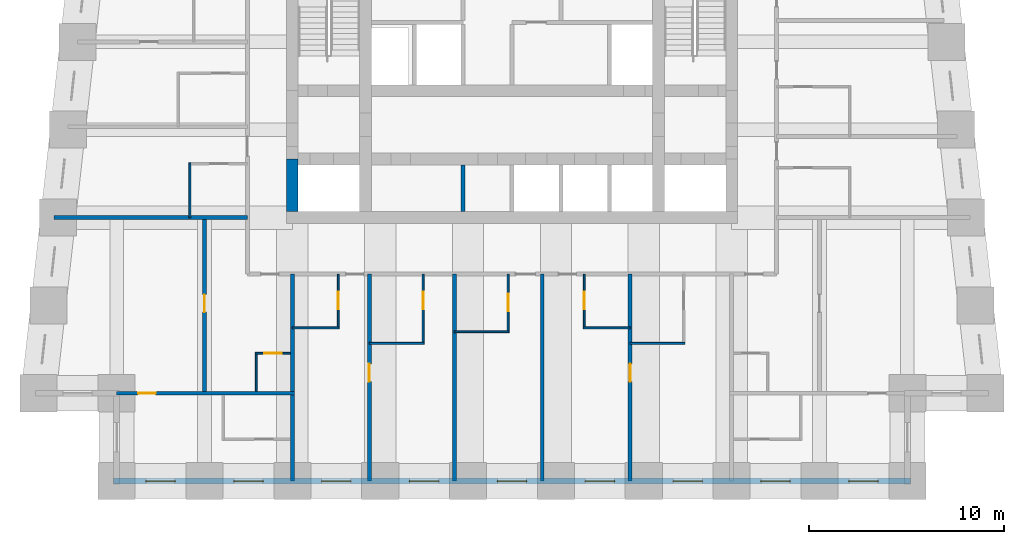
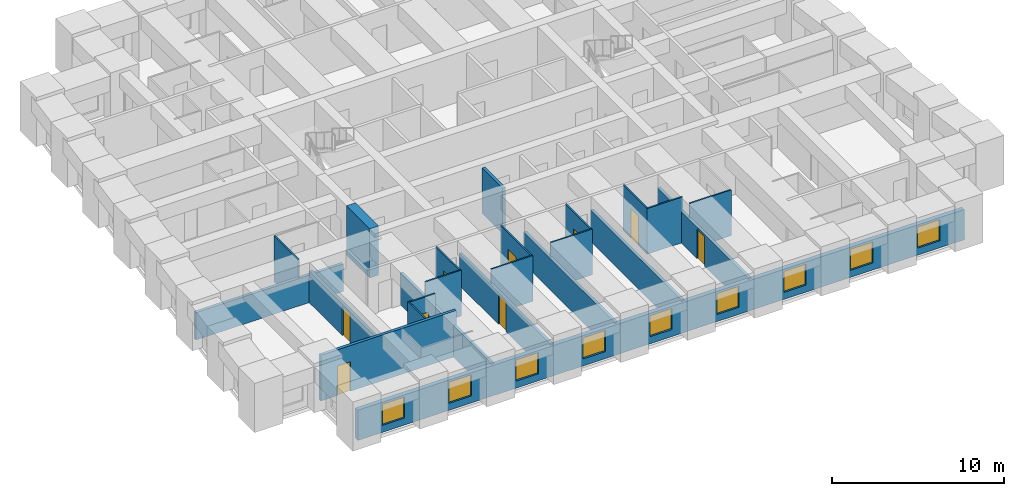
# One storey, part 2 of 8: 23 walls, 9 doors, 9 windows, 18 openings.
"""IFC4 building model written with IfcOpenShell, lengths in metres."""

from ifc_helpers import new_model, si_unit, direction, frame, frame_2d, origin, place, context, subcontext, project, spatial, rectangle, extrude, material, layer, layer_set, type_object, element, fill, save


model = new_model("IFC4")

# Units and contexts
model_context = context("Model", 3, precision=1e-05, world=origin(), true_north=direction((0.0, 1.0)))
body_context = subcontext(model_context, "Body", "Model", "MODEL_VIEW")
ifc_project = project(units=[si_unit("LENGTHUNIT", "METRE"), si_unit("AREAUNIT", "SQUARE_METRE"), si_unit("VOLUMEUNIT", "CUBIC_METRE"), si_unit("PLANEANGLEUNIT", "RADIAN"), si_unit("MASSUNIT", "GRAM", prefix="KILO")], contexts=[model_context])

# Site, building, storey
site_placement = place(None, origin())
site = spatial("IfcSite", under=ifc_project, at=site_placement, CompositionType="ELEMENT")
building_placement = place(site_placement, origin())
building = spatial("IfcBuilding", under=site, at=building_placement, Name="Kilele Tower Hotel", CompositionType="ELEMENT")
storey_placement = place(building_placement, frame((0.0, 0.0, 117.89990234375)))
storey = spatial("IfcBuildingStorey", under=building, at=storey_placement, Name="L30", CompositionType="ELEMENT", Elevation=117.89990234375)

# Wall
ifc_material_1 = material(Name="Moisture-resistant board")
ifc_layer_1 = layer(ifc_material_1, 0.10009765625)
ifc_layer_set_1 = layer_set([ifc_layer_1], Name="Moisture-resistant board")
wall_type_1 = type_object("IfcWallType", Name="Bathroom partition 100", PredefinedType="PLUMBINGWALL", material=ifc_layer_set_1)
wall_1_placement = place(storey_placement, frame((13.5, 7.85009765625, 0.0), z_axis=(0.0, 0.0, 1.0), x_axis=(1.0, 0.0, 0.0)))
element("IfcWall", 1, at=wall_1_placement, inside=storey, type_object=wall_type_1, Name="Bathroom partition 100 L30", PredefinedType="PLUMBINGWALL", context=body_context, shape_type="SweptSolid", body=[
    extrude(rectangle(XDim=2.39990234375, YDim=0.10009765625, at=frame_2d((1.199951171875, 0.0))), origin(), (0.0, 0.0, 1.0), 3.25),
])

# Wall, opening, door
wall_2_placement = place(storey_placement, frame((15.85009765625, 10.60009765625, 0.0), z_axis=(0.0, 0.0, 1.0), x_axis=(0.0, -1.0, 0.0)))
wall_2 = element("IfcWall", 2, at=wall_2_placement, inside=storey, type_object=wall_type_1, Name="Bathroom partition 100 L30", PredefinedType="PLUMBINGWALL", context=body_context, shape_type="SweptSolid", body=[
    extrude(rectangle(XDim=2.800048828125, YDim=0.10009765625, at=frame_2d((1.39990234375, 0.0))), origin(), (0.0, 0.0, 1.0), 3.25),
])
opening_1_placement = place(wall_2_placement, frame((0.89990234375, 0.0, 0.0)))
opening_1 = element("IfcOpeningElement", 3, at=opening_1_placement, cuts=wall_2, Name="Opening D2A", PredefinedType="OPENING", context=body_context, shape_type="SweptSolid", body=[
    extrude(rectangle(XDim=0.89990234375, YDim=2.10009765625, at=frame_2d((0.449951171875, 1.050048828125))), frame((0.0, 0.06005859375, 0.0), z_axis=(0.0, -1.0, 0.0), x_axis=(1.0, 0.0, 0.0)), (0.0, 0.0, 1.0), 0.1201171875),
])
ifc_material_2 = material(Name="Timber door leaf in hardwood frame", Category="wood")
door_type_1 = type_object("IfcDoorType", Name="Bathroom door 900", OperationType="SINGLE_SWING_LEFT", PredefinedType="DOOR", material=ifc_material_2)
door_1_placement = place(opening_1_placement, origin())
door_1 = element("IfcDoor", 4, at=door_1_placement, inside=storey, type_object=door_type_1, Name="Bathroom door 3001B", OperationType="SINGLE_SWING_LEFT", OverallHeight=2.10009765625, OverallWidth=0.89990234375, PredefinedType="DOOR", context=body_context, shape_type="SweptSolid", body=[
    extrude(rectangle(XDim=0.89990234375, YDim=2.10009765625, at=frame_2d((0.449951171875, 1.050048828125))), frame((0.0, 0.02490234375, 0.0), z_axis=(0.0, -1.0, 0.0), x_axis=(1.0, 0.0, 0.0)), (0.0, 0.0, 1.0), 0.050048828125),
])
fill(opening_1, door_1)

# Wall
wall_3_placement = place(storey_placement, frame((17.449951171875, 7.050048828125, 0.0), z_axis=(0.0, 0.0, 1.0), x_axis=(1.0, 0.0, 0.0)))
element("IfcWall", 5, at=wall_3_placement, inside=storey, type_object=wall_type_1, Name="Bathroom partition 100 L30", PredefinedType="PLUMBINGWALL", context=body_context, shape_type="SweptSolid", body=[
    extrude(rectangle(XDim=2.800048828125, YDim=0.10009765625, at=frame_2d((1.39990234375, 0.0))), origin(), (0.0, 0.0, 1.0), 3.25),
])

# Wall, opening, door
wall_4_placement = place(storey_placement, frame((20.199951171875, 10.60009765625, 0.0), z_axis=(0.0, 0.0, 1.0), x_axis=(0.0, -1.0, 0.0)))
wall_4 = element("IfcWall", 6, at=wall_4_placement, inside=storey, type_object=wall_type_1, Name="Bathroom partition 100 L30", PredefinedType="PLUMBINGWALL", context=body_context, shape_type="SweptSolid", body=[
    extrude(rectangle(XDim=3.60009765625, YDim=0.10009765625, at=frame_2d((1.800048828125, 0.0))), origin(), (0.0, 0.0, 1.0), 3.25),
])
opening_2_placement = place(wall_4_placement, frame((0.89990234375, 0.0, 0.0)))
opening_2 = element("IfcOpeningElement", 7, at=opening_2_placement, cuts=wall_4, Name="Opening D2A", PredefinedType="OPENING", context=body_context, shape_type="SweptSolid", body=[
    extrude(rectangle(XDim=0.89990234375, YDim=2.10009765625, at=frame_2d((0.449951171875, 1.050048828125))), frame((0.0, 0.06005859375, 0.0), z_axis=(0.0, -1.0, 0.0), x_axis=(1.0, 0.0, 0.0)), (0.0, 0.0, 1.0), 0.1201171875),
])
door_2_placement = place(opening_2_placement, origin())
door_2 = element("IfcDoor", 8, at=door_2_placement, inside=storey, type_object=door_type_1, Name="Bathroom door 3002B", OperationType="SINGLE_SWING_LEFT", OverallHeight=2.10009765625, OverallWidth=0.89990234375, PredefinedType="DOOR", context=body_context, shape_type="SweptSolid", body=[
    extrude(rectangle(XDim=0.89990234375, YDim=2.10009765625, at=frame_2d((0.449951171875, 1.050048828125))), frame((0.0, 0.02490234375, 0.0), z_axis=(0.0, -1.0, 0.0), x_axis=(1.0, 0.0, 0.0)), (0.0, 0.0, 1.0), 0.050048828125),
])
fill(opening_2, door_2)

# Wall
wall_5_placement = place(storey_placement, frame((21.800048828125, 7.64990234375, 0.0), z_axis=(0.0, 0.0, 1.0), x_axis=(1.0, 0.0, 0.0)))
element("IfcWall", 9, at=wall_5_placement, inside=storey, type_object=wall_type_1, Name="Bathroom partition 100 L30", PredefinedType="PLUMBINGWALL", context=body_context, shape_type="SweptSolid", body=[
    extrude(rectangle(XDim=2.800048828125, YDim=0.10009765625, at=frame_2d((1.39990234375, 0.0))), origin(), (0.0, 0.0, 1.0), 3.25),
])

# Wall, opening, door
wall_6_placement = place(storey_placement, frame((24.550048828125, 10.60009765625, 0.0), z_axis=(0.0, 0.0, 1.0), x_axis=(0.0, -1.0, 0.0)))
wall_6 = element("IfcWall", 10, at=wall_6_placement, inside=storey, type_object=wall_type_1, Name="Bathroom partition 100 L30", PredefinedType="PLUMBINGWALL", context=body_context, shape_type="SweptSolid", body=[
    extrude(rectangle(XDim=3.0, YDim=0.10009765625, at=frame_2d((1.5, 0.0))), origin(), (0.0, 0.0, 1.0), 3.25),
])
opening_3_placement = place(wall_6_placement, frame((1.0, 0.0, 0.0)))
opening_3 = element("IfcOpeningElement", 11, at=opening_3_placement, cuts=wall_6, Name="Opening D2A", PredefinedType="OPENING", context=body_context, shape_type="SweptSolid", body=[
    extrude(rectangle(XDim=0.89990234375, YDim=2.10009765625, at=frame_2d((0.449951171875, 1.050048828125))), frame((0.0, 0.06005859375, 0.0), z_axis=(0.0, -1.0, 0.0), x_axis=(1.0, 0.0, 0.0)), (0.0, 0.0, 1.0), 0.1201171875),
])
door_3_placement = place(opening_3_placement, origin())
door_3 = element("IfcDoor", 12, at=door_3_placement, inside=storey, type_object=door_type_1, Name="Bathroom door 3003B", OperationType="SINGLE_SWING_LEFT", OverallHeight=2.10009765625, OverallWidth=0.89990234375, PredefinedType="DOOR", context=body_context, shape_type="SweptSolid", body=[
    extrude(rectangle(XDim=0.89990234375, YDim=2.10009765625, at=frame_2d((0.449951171875, 1.050048828125))), frame((0.0, 0.02490234375, 0.0), z_axis=(0.0, -1.0, 0.0), x_axis=(1.0, 0.0, 0.0)), (0.0, 0.0, 1.0), 0.050048828125),
])
fill(opening_3, door_3)

# Wall
wall_7_placement = place(storey_placement, frame((28.39990234375, 7.85009765625, 0.0), z_axis=(0.0, 0.0, 1.0), x_axis=(1.0, 0.0, 0.0)))
element("IfcWall", 13, at=wall_7_placement, inside=storey, type_object=wall_type_1, Name="Bathroom partition 100 L30", PredefinedType="PLUMBINGWALL", context=body_context, shape_type="SweptSolid", body=[
    extrude(rectangle(XDim=2.400146484375, YDim=0.10009765625, at=frame_2d((1.2001953125, 0.0))), origin(), (0.0, 0.0, 1.0), 3.25),
])

# Wall, opening, door
wall_8_placement = place(storey_placement, frame((28.449951171875, 10.60009765625, 0.0), z_axis=(0.0, 0.0, 1.0), x_axis=(0.0, -1.0, 0.0)))
wall_8 = element("IfcWall", 14, at=wall_8_placement, inside=storey, type_object=wall_type_1, Name="Bathroom partition 100 L30", PredefinedType="PLUMBINGWALL", context=body_context, shape_type="SweptSolid", body=[
    extrude(rectangle(XDim=2.800048828125, YDim=0.10009765625, at=frame_2d((1.39990234375, 0.0))), origin(), (0.0, 0.0, 1.0), 3.25),
])
opening_4_placement = place(wall_8_placement, frame((1.7998046875, 0.0, 0.0), z_axis=(0.0, 0.0, 1.0), x_axis=(-1.0, 0.0, 0.0)))
opening_4 = element("IfcOpeningElement", 15, at=opening_4_placement, cuts=wall_8, Name="Opening D2A", PredefinedType="OPENING", context=body_context, shape_type="SweptSolid", body=[
    extrude(rectangle(XDim=0.89990234375, YDim=2.10009765625, at=frame_2d((0.449951171875, 1.050048828125))), frame((0.0, 0.06005859375, 0.0), z_axis=(0.0, -1.0, 0.0), x_axis=(1.0, 0.0, 0.0)), (0.0, 0.0, 1.0), 0.1201171875),
])
door_4_placement = place(opening_4_placement, origin())
door_4 = element("IfcDoor", 16, at=door_4_placement, inside=storey, type_object=door_type_1, Name="Bathroom door 3004B", OperationType="SINGLE_SWING_RIGHT", OverallHeight=2.10009765625, OverallWidth=0.89990234375, PredefinedType="DOOR", context=body_context, shape_type="SweptSolid", body=[
    extrude(rectangle(XDim=0.89990234375, YDim=2.10009765625, at=frame_2d((0.449951171875, 1.050048828125))), frame((0.0, 0.02490234375, 0.0), z_axis=(0.0, -1.0, 0.0), x_axis=(1.0, 0.0, 0.0)), (0.0, 0.0, 1.0), 0.050048828125),
])
fill(opening_4, door_4)

# Walls
for number, where, z_axis, x_axis, name in (
    (17, (30.800048828125, 7.050048828125, 0.0), (0.0, 0.0, 1.0), (1.0, 0.0, 0.0), "Bathroom partition 100 L30"),
    (18, (8.25, 13.5, 0.0), (0.0, 0.0, 1.0), (0.0, 1.0, 0.0), "Bathroom partition 100 L30"),
):
    element("IfcWall", number, at=place(storey_placement, frame(where, z_axis=z_axis, x_axis=x_axis)), inside=storey, type_object=wall_type_1, Name=name, PredefinedType="PLUMBINGWALL", context=body_context, shape_type="SweptSolid", body=[
        extrude(rectangle(XDim=2.800048828125, YDim=0.10009765625, at=frame_2d((1.39990234375, 0.0))), origin(), (0.0, 0.0, 1.0), 3.25),
    ])
wall_9_placement = place(storey_placement, frame((11.64990234375, 4.60009765625, 0.0), z_axis=(0.0, 0.0, 1.0), x_axis=(0.0, 1.0, 0.0)))
element("IfcWall", 19, at=wall_9_placement, inside=storey, type_object=wall_type_1, Name="Bathroom partition 100 L30", PredefinedType="PLUMBINGWALL", context=body_context, shape_type="SweptSolid", body=[
    extrude(rectangle(XDim=2.0, YDim=0.10009765625, at=frame_2d((1.0, 0.0))), origin(), (0.0, 0.0, 1.0), 3.25),
])

# Wall, opening, door
wall_10_placement = place(storey_placement, frame((13.39990234375, 6.550048828125, 0.0), z_axis=(0.0, 0.0, 1.0), x_axis=(-1.0, 0.0, 0.0)))
wall_10 = element("IfcWall", 20, at=wall_10_placement, inside=storey, type_object=wall_type_1, Name="Bathroom partition 100 L30", PredefinedType="PLUMBINGWALL", context=body_context, shape_type="SweptSolid", body=[
    extrude(rectangle(XDim=1.7998046875, YDim=0.10009765625, at=frame_2d((0.89990234375, 0.0))), origin(), (0.0, 0.0, 1.0), 3.25),
])
opening_5_placement = place(wall_10_placement, frame((1.349853515625, 0.0, 0.0), z_axis=(0.0, 0.0, 1.0), x_axis=(-1.0, 0.0, 0.0)))
opening_5 = element("IfcOpeningElement", 21, at=opening_5_placement, cuts=wall_10, Name="Opening D2A", PredefinedType="OPENING", context=body_context, shape_type="SweptSolid", body=[
    extrude(rectangle(XDim=0.89990234375, YDim=2.10009765625, at=frame_2d((0.449951171875, 1.050048828125))), frame((0.0, 0.06005859375, 0.0), z_axis=(0.0, -1.0, 0.0), x_axis=(1.0, 0.0, 0.0)), (0.0, 0.0, 1.0), 0.1201171875),
])
door_5_placement = place(opening_5_placement, origin())
door_5 = element("IfcDoor", 22, at=door_5_placement, inside=storey, type_object=door_type_1, Name="Bathroom door 3017P", OperationType="SINGLE_SWING_RIGHT", OverallHeight=2.10009765625, OverallWidth=0.89990234375, PredefinedType="DOOR", context=body_context, shape_type="SweptSolid", body=[
    extrude(rectangle(XDim=0.89990234375, YDim=2.10009765625, at=frame_2d((0.449951171875, 1.050048828125))), frame((0.0, 0.02490234375, 0.0), z_axis=(0.0, -1.0, 0.0), x_axis=(1.0, 0.0, 0.0)), (0.0, 0.0, 1.0), 0.050048828125),
])
fill(opening_5, door_5)

# Wall
ifc_material_3 = material(Name="Concrete C60/75", Category="concrete")
ifc_layer_2 = layer(ifc_material_3, 0.60009765625)
ifc_layer_set_2 = layer_set([ifc_layer_2], Name="Concrete C60/75")
wall_type_2 = type_object("IfcWallType", Name="Core wall 600 C60/75", PredefinedType="SHEAR", material=ifc_layer_set_2)
wall_11_placement = place(storey_placement, frame((13.5, 16.5, 0.0), z_axis=(0.0, 0.0, 1.0), x_axis=(0.0, -1.0, 0.0)))
element("IfcWall", 23, at=wall_11_placement, inside=storey, type_object=wall_type_2, Name="Core wall W3 L30", PredefinedType="SHEAR", context=body_context, shape_type="SweptSolid", body=[
    extrude(rectangle(XDim=2.699951171875, YDim=0.60009765625, at=frame_2d((1.35009765625, 0.0))), origin(), (0.0, 0.0, 1.0), 3.5),
])

# Wall, opening, door
ifc_material_4 = material(Name="Blockwork, plastered both sides", Category="masonry")
ifc_layer_3 = layer(ifc_material_4, 0.199951171875)
ifc_layer_set_3 = layer_set([ifc_layer_3], Name="Blockwork, plastered both sides")
wall_type_3 = type_object("IfcWallType", Name="Partition wall 200", PredefinedType="PARTITIONING", material=ifc_layer_set_3)
wall_12_placement = place(storey_placement, frame((9.0, 4.60009765625, 0.0), z_axis=(0.0, 0.0, 1.0), x_axis=(0.0, 1.0, 0.0)))
wall_12 = element("IfcWall", 24, at=wall_12_placement, inside=storey, type_object=wall_type_3, Name="Partition wall 200 L30", PredefinedType="PARTITIONING", context=body_context, shape_type="SweptSolid", body=[
    extrude(rectangle(XDim=8.7998046875, YDim=0.199951171875, at=frame_2d((4.39990234375, 0.0))), origin(), (0.0, 0.0, 1.0), 2.25),
])
opening_6_placement = place(wall_12_placement, frame((4.050048828125, 0.0, 0.0)))
opening_6 = element("IfcOpeningElement", 25, at=opening_6_placement, cuts=wall_12, Name="Opening D3", PredefinedType="OPENING", context=body_context, shape_type="SweptSolid", body=[
    extrude(rectangle(XDim=0.89990234375, YDim=2.10009765625, at=frame_2d((0.449951171875, 1.050048828125))), frame((0.0, 0.10986328125, 0.0), z_axis=(0.0, -1.0, 0.0), x_axis=(1.0, 0.0, 0.0)), (0.0, 0.0, 1.0), 0.219970703125),
])
ifc_material_5 = material(Name="Timber door leaf in hardwood frame", Category="wood")
door_type_2 = type_object("IfcDoorType", Name="Suite internal door 900", OperationType="SINGLE_SWING_LEFT", PredefinedType="DOOR", material=ifc_material_5)
door_6_placement = place(opening_6_placement, origin())
door_6 = element("IfcDoor", 26, at=door_6_placement, inside=storey, type_object=door_type_2, Name="Suite door 3018", OperationType="SINGLE_SWING_RIGHT", OverallHeight=2.10009765625, OverallWidth=0.89990234375, PredefinedType="DOOR", context=body_context, shape_type="SweptSolid", body=[
    extrude(rectangle(XDim=0.89990234375, YDim=2.10009765625, at=frame_2d((0.449951171875, 1.050048828125))), frame((0.0, 0.02490234375, 0.0), z_axis=(0.0, -1.0, 0.0), x_axis=(1.0, 0.0, 0.0)), (0.0, 0.0, 1.0), 0.050048828125),
])
fill(opening_6, door_6)

ifc_material_6 = material(Name="Blockwork, plastered both sides", Category="masonry")
ifc_layer_4 = layer(ifc_material_6, 0.199951171875)
ifc_layer_set_4 = layer_set([ifc_layer_4], Name="Blockwork, plastered both sides")
wall_type_4 = type_object("IfcWallType", Name="Party wall 200", PredefinedType="PARTITIONING", material=ifc_layer_set_4)
wall_13_placement = place(storey_placement, frame((17.449951171875, 10.60009765625, 0.0), z_axis=(0.0, 0.0, 1.0), x_axis=(0.0, -1.0, 0.0)))
wall_13 = element("IfcWall", 27, at=wall_13_placement, inside=storey, type_object=wall_type_4, Name="Party wall 200 L30", PredefinedType="PARTITIONING", context=body_context, shape_type="SweptSolid", body=[
    extrude(rectangle(XDim=10.60009765625, YDim=0.199951171875, at=frame_2d((5.300048828125, 0.0))), origin(), (0.0, 0.0, 1.0), 2.25),
])
opening_7_placement = place(wall_13_placement, frame((4.60009765625, 0.0, 0.0)))
opening_7 = element("IfcOpeningElement", 28, at=opening_7_placement, cuts=wall_13, Name="Opening D3", PredefinedType="OPENING", context=body_context, shape_type="SweptSolid", body=[
    extrude(rectangle(XDim=0.89990234375, YDim=2.10009765625, at=frame_2d((0.449951171875, 1.050048828125))), frame((0.0, 0.10986328125, 0.0), z_axis=(0.0, -1.0, 0.0), x_axis=(1.0, 0.0, 0.0)), (0.0, 0.0, 1.0), 0.219970703125),
])
door_7_placement = place(opening_7_placement, origin())
door_7 = element("IfcDoor", 29, at=door_7_placement, inside=storey, type_object=door_type_2, Name="Suite door 3002", OperationType="SINGLE_SWING_LEFT", OverallHeight=2.10009765625, OverallWidth=0.89990234375, PredefinedType="DOOR", context=body_context, shape_type="SweptSolid", body=[
    extrude(rectangle(XDim=0.89990234375, YDim=2.10009765625, at=frame_2d((0.449951171875, 1.050048828125))), frame((0.0, 0.02490234375, 0.0), z_axis=(0.0, -1.0, 0.0), x_axis=(1.0, 0.0, 0.0)), (0.0, 0.0, 1.0), 0.050048828125),
])
fill(opening_7, door_7)

# Walls
for number, where, z_axis, x_axis, name in (
    (30, (21.800048828125, 10.60009765625, 0.0), (0.0, 0.0, 1.0), (0.0, -1.0, 0.0), "Party wall 200 L30"),
    (31, (26.300048828125, 10.60009765625, 0.0), (0.0, 0.0, 1.0), (0.0, -1.0, 0.0), "Party wall 200 L30"),
):
    element("IfcWall", number, at=place(storey_placement, frame(where, z_axis=z_axis, x_axis=x_axis)), inside=storey, type_object=wall_type_4, Name=name, PredefinedType="PARTITIONING", context=body_context, shape_type="SweptSolid", body=[
        extrude(rectangle(XDim=10.60009765625, YDim=0.199951171875, at=frame_2d((5.300048828125, 0.0))), origin(), (0.0, 0.0, 1.0), 2.25),
    ])

# Wall, opening, door
wall_14_placement = place(storey_placement, frame((30.800048828125, 10.60009765625, 0.0), z_axis=(0.0, 0.0, 1.0), x_axis=(0.0, -1.0, 0.0)))
wall_14 = element("IfcWall", 32, at=wall_14_placement, inside=storey, type_object=wall_type_4, Name="Party wall 200 L30", PredefinedType="PARTITIONING", context=body_context, shape_type="SweptSolid", body=[
    extrude(rectangle(XDim=10.60009765625, YDim=0.199951171875, at=frame_2d((5.300048828125, 0.0))), origin(), (0.0, 0.0, 1.0), 2.25),
])
opening_8_placement = place(wall_14_placement, frame((4.60009765625, 0.0, 0.0)))
opening_8 = element("IfcOpeningElement", 33, at=opening_8_placement, cuts=wall_14, Name="Opening D3", PredefinedType="OPENING", context=body_context, shape_type="SweptSolid", body=[
    extrude(rectangle(XDim=0.89990234375, YDim=2.10009765625, at=frame_2d((0.449951171875, 1.050048828125))), frame((0.0, 0.10986328125, 0.0), z_axis=(0.0, -1.0, 0.0), x_axis=(1.0, 0.0, 0.0)), (0.0, 0.0, 1.0), 0.219970703125),
])
door_8_placement = place(opening_8_placement, origin())
door_8 = element("IfcDoor", 34, at=door_8_placement, inside=storey, type_object=door_type_2, Name="Suite door 3005", OperationType="SINGLE_SWING_LEFT", OverallHeight=2.10009765625, OverallWidth=0.89990234375, PredefinedType="DOOR", context=body_context, shape_type="SweptSolid", body=[
    extrude(rectangle(XDim=0.89990234375, YDim=2.10009765625, at=frame_2d((0.449951171875, 1.050048828125))), frame((0.0, 0.02490234375, 0.0), z_axis=(0.0, -1.0, 0.0), x_axis=(1.0, 0.0, 0.0)), (0.0, 0.0, 1.0), 0.050048828125),
])
fill(opening_8, door_8)

# Walls
wall_15_placement = place(storey_placement, frame((11.199951171875, 13.5, 0.0), z_axis=(0.0, 0.0, 1.0), x_axis=(-1.0, 0.0, 0.0)))
element("IfcWall", 35, at=wall_15_placement, inside=storey, type_object=wall_type_4, Name="Party wall 200 L30", PredefinedType="PARTITIONING", context=body_context, shape_type="SweptSolid", body=[
    extrude(rectangle(XDim=9.921142578125, YDim=0.199951171875, at=frame_2d((4.96044921875, 0.0))), origin(), (0.0, 0.0, 1.0), 1.9501953125),
])
wall_16_placement = place(storey_placement, frame((13.5, 10.60009765625, 0.0), z_axis=(0.0, 0.0, 1.0), x_axis=(0.0, -1.0, 0.0)))
element("IfcWall", 36, at=wall_16_placement, inside=storey, type_object=wall_type_4, Name="Party wall 200 L30", PredefinedType="PARTITIONING", context=body_context, shape_type="SweptSolid", body=[
    extrude(rectangle(XDim=10.60009765625, YDim=0.199951171875, at=frame_2d((5.300048828125, 0.0))), origin(), (0.0, 0.0, 1.0), 2.25),
])

# Wall, opening, door
wall_17_placement = place(storey_placement, frame((13.60009765625, 4.5, 0.0), z_axis=(0.0, 0.0, 1.0), x_axis=(-1.0, 0.0, 0.0)))
wall_17 = element("IfcWall", 37, at=wall_17_placement, inside=storey, type_object=wall_type_4, Name="Party wall 200 L30", PredefinedType="PARTITIONING", context=body_context, shape_type="SweptSolid", body=[
    extrude(rectangle(XDim=9.10009765625, YDim=0.199951171875, at=frame_2d((4.550048828125, 0.0))), origin(), (0.0, 0.0, 1.0), 3.25),
])
opening_9_placement = place(wall_17_placement, frame((7.10009765625, 0.0, 0.0)))
opening_9 = element("IfcOpeningElement", 38, at=opening_9_placement, cuts=wall_17, Name="Opening D3", PredefinedType="OPENING", context=body_context, shape_type="SweptSolid", body=[
    extrude(rectangle(XDim=0.89990234375, YDim=2.10009765625, at=frame_2d((0.449951171875, 1.050048828125))), frame((0.0, 0.10986328125, 0.0), z_axis=(0.0, -1.0, 0.0), x_axis=(1.0, 0.0, 0.0)), (0.0, 0.0, 1.0), 0.219970703125),
])
door_9_placement = place(opening_9_placement, origin())
door_9 = element("IfcDoor", 39, at=door_9_placement, inside=storey, type_object=door_type_2, Name="Suite door 3019", OperationType="SINGLE_SWING_RIGHT", OverallHeight=2.10009765625, OverallWidth=0.89990234375, PredefinedType="DOOR", context=body_context, shape_type="SweptSolid", body=[
    extrude(rectangle(XDim=0.89990234375, YDim=2.10009765625, at=frame_2d((0.449951171875, 1.050048828125))), frame((0.0, 0.02490234375, 0.0), z_axis=(0.0, -1.0, 0.0), x_axis=(1.0, 0.0, 0.0)), (0.0, 0.0, 1.0), 0.050048828125),
])
fill(opening_9, door_9)

# Wall, openings, windows
ifc_material_7 = material(Name="Concrete C40/50 precast", Category="concrete")
ifc_layer_5 = layer(ifc_material_7, 0.260009765625, Name="Precast backing", Category="LoadBearing")
ifc_material_8 = material(Name="Reconstituted stone finish", Category="masonry")
ifc_layer_6 = layer(ifc_material_8, 0.0400390625, Name="Face mix", Category="Finish")
ifc_layer_set_5 = layer_set([ifc_layer_5, ifc_layer_6], Name="Precast concrete C40/50, reconstituted stone finish")
wall_type_5 = type_object("IfcWallType", Name="Precast stone facade wall 300", PredefinedType="STANDARD", material=ifc_layer_set_5)
wall_18_placement = place(storey_placement, frame((4.35009765625, 0.0, 0.0), z_axis=(0.0, 0.0, 1.0), x_axis=(1.0, 0.0, 0.0)))
wall_18 = element("IfcWall", 40, at=wall_18_placement, inside=storey, type_object=wall_type_5, Name="Facade wall L30 edge 3", PredefinedType="STANDARD", context=body_context, shape_type="SweptSolid", body=[
    extrude(rectangle(XDim=40.7998046875, YDim=0.300048828125, at=frame_2d((20.39990234375, 0.0))), origin(), (0.0, 0.0, 1.0), 2.150146484375),
])
opening_10_placement = place(wall_18_placement, frame((1.64990234375, 0.0, 0.5)))
opening_10 = element("IfcOpeningElement", 41, at=opening_10_placement, cuts=wall_18, Name="Opening W2", PredefinedType="OPENING", context=body_context, shape_type="SweptSolid", body=[
    extrude(rectangle(XDim=1.5, YDim=1.5, at=frame_2d((0.75, 0.75))), frame((0.0, 0.159912109375, 0.0), z_axis=(0.0, -1.0, 0.0), x_axis=(1.0, 0.0, 0.0)), (0.0, 0.0, 1.0), 0.320068359375),
])
opening_11_placement = place(wall_18_placement, frame((6.14990234375, 0.0, 0.5)))
opening_11 = element("IfcOpeningElement", 42, at=opening_11_placement, cuts=wall_18, Name="Opening W2", PredefinedType="OPENING", context=body_context, shape_type="SweptSolid", body=[
    extrude(rectangle(XDim=1.5, YDim=1.5, at=frame_2d((0.75, 0.75))), frame((0.0, 0.159912109375, 0.0), z_axis=(0.0, -1.0, 0.0), x_axis=(1.0, 0.0, 0.0)), (0.0, 0.0, 1.0), 0.320068359375),
])
opening_12_placement = place(wall_18_placement, frame((10.64990234375, 0.0, 0.5)))
opening_12 = element("IfcOpeningElement", 43, at=opening_12_placement, cuts=wall_18, Name="Opening W2", PredefinedType="OPENING", context=body_context, shape_type="SweptSolid", body=[
    extrude(rectangle(XDim=1.5, YDim=1.5, at=frame_2d((0.75, 0.75))), frame((0.0, 0.159912109375, 0.0), z_axis=(0.0, -1.0, 0.0), x_axis=(1.0, 0.0, 0.0)), (0.0, 0.0, 1.0), 0.320068359375),
])
opening_13_placement = place(wall_18_placement, frame((15.14990234375, 0.0, 0.5)))
opening_13 = element("IfcOpeningElement", 44, at=opening_13_placement, cuts=wall_18, Name="Opening W2", PredefinedType="OPENING", context=body_context, shape_type="SweptSolid", body=[
    extrude(rectangle(XDim=1.5, YDim=1.5, at=frame_2d((0.75, 0.75))), frame((0.0, 0.159912109375, 0.0), z_axis=(0.0, -1.0, 0.0), x_axis=(1.0, 0.0, 0.0)), (0.0, 0.0, 1.0), 0.320068359375),
])
opening_14_placement = place(wall_18_placement, frame((19.64990234375, 0.0, 0.5)))
opening_14 = element("IfcOpeningElement", 45, at=opening_14_placement, cuts=wall_18, Name="Opening W2", PredefinedType="OPENING", context=body_context, shape_type="SweptSolid", body=[
    extrude(rectangle(XDim=1.5, YDim=1.5, at=frame_2d((0.75, 0.75))), frame((0.0, 0.159912109375, 0.0), z_axis=(0.0, -1.0, 0.0), x_axis=(1.0, 0.0, 0.0)), (0.0, 0.0, 1.0), 0.320068359375),
])
opening_15_placement = place(wall_18_placement, frame((24.14990234375, 0.0, 0.5)))
opening_15 = element("IfcOpeningElement", 46, at=opening_15_placement, cuts=wall_18, Name="Opening W2", PredefinedType="OPENING", context=body_context, shape_type="SweptSolid", body=[
    extrude(rectangle(XDim=1.5, YDim=1.5, at=frame_2d((0.75, 0.75))), frame((0.0, 0.159912109375, 0.0), z_axis=(0.0, -1.0, 0.0), x_axis=(1.0, 0.0, 0.0)), (0.0, 0.0, 1.0), 0.320068359375),
])
opening_16_placement = place(wall_18_placement, frame((28.64990234375, 0.0, 0.5)))
opening_16 = element("IfcOpeningElement", 47, at=opening_16_placement, cuts=wall_18, Name="Opening W2", PredefinedType="OPENING", context=body_context, shape_type="SweptSolid", body=[
    extrude(rectangle(XDim=1.5, YDim=1.5, at=frame_2d((0.75, 0.75))), frame((0.0, 0.159912109375, 0.0), z_axis=(0.0, -1.0, 0.0), x_axis=(1.0, 0.0, 0.0)), (0.0, 0.0, 1.0), 0.320068359375),
])
opening_17_placement = place(wall_18_placement, frame((33.14990234375, 0.0, 0.5)))
opening_17 = element("IfcOpeningElement", 48, at=opening_17_placement, cuts=wall_18, Name="Opening W2", PredefinedType="OPENING", context=body_context, shape_type="SweptSolid", body=[
    extrude(rectangle(XDim=1.5, YDim=1.5, at=frame_2d((0.75, 0.75))), frame((0.0, 0.159912109375, 0.0), z_axis=(0.0, -1.0, 0.0), x_axis=(1.0, 0.0, 0.0)), (0.0, 0.0, 1.0), 0.320068359375),
])
opening_18_placement = place(wall_18_placement, frame((37.64990234375, 0.0, 0.5)))
opening_18 = element("IfcOpeningElement", 49, at=opening_18_placement, cuts=wall_18, Name="Opening W2", PredefinedType="OPENING", context=body_context, shape_type="SweptSolid", body=[
    extrude(rectangle(XDim=1.5, YDim=1.5, at=frame_2d((0.75, 0.75))), frame((0.0, 0.159912109375, 0.0), z_axis=(0.0, -1.0, 0.0), x_axis=(1.0, 0.0, 0.0)), (0.0, 0.0, 1.0), 0.320068359375),
])
ifc_material_9 = material(Name="Aluminium frame, clear double glazing", Category="aluminium")
window_type = type_object("IfcWindowType", Name="Window W2 1500 x 1500", PartitioningType="SINGLE_PANEL", PredefinedType="WINDOW", material=ifc_material_9)
window_1_placement = place(opening_10_placement, origin())
window_1 = element("IfcWindow", 50, at=window_1_placement, inside=storey, type_object=window_type, Name="Window L30", OverallHeight=1.5, OverallWidth=1.5, PartitioningType="SINGLE_PANEL", PredefinedType="WINDOW", context=body_context, shape_type="SweptSolid", body=[
    extrude(rectangle(XDim=1.5, YDim=1.5, at=frame_2d((0.75, 0.75))), frame((0.0, 0.030029296875, 0.0), z_axis=(0.0, -1.0, 0.0), x_axis=(1.0, 0.0, 0.0)), (0.0, 0.0, 1.0), 0.06005859375),
])
fill(opening_10, window_1)
window_2_placement = place(opening_11_placement, origin())
window_2 = element("IfcWindow", 51, at=window_2_placement, inside=storey, type_object=window_type, Name="Window L30", OverallHeight=1.5, OverallWidth=1.5, PartitioningType="SINGLE_PANEL", PredefinedType="WINDOW", context=body_context, shape_type="SweptSolid", body=[
    extrude(rectangle(XDim=1.5, YDim=1.5, at=frame_2d((0.75, 0.75))), frame((0.0, 0.030029296875, 0.0), z_axis=(0.0, -1.0, 0.0), x_axis=(1.0, 0.0, 0.0)), (0.0, 0.0, 1.0), 0.06005859375),
])
fill(opening_11, window_2)
window_3_placement = place(opening_12_placement, origin())
window_3 = element("IfcWindow", 52, at=window_3_placement, inside=storey, type_object=window_type, Name="Window L30", OverallHeight=1.5, OverallWidth=1.5, PartitioningType="SINGLE_PANEL", PredefinedType="WINDOW", context=body_context, shape_type="SweptSolid", body=[
    extrude(rectangle(XDim=1.5, YDim=1.5, at=frame_2d((0.75, 0.75))), frame((0.0, 0.030029296875, 0.0), z_axis=(0.0, -1.0, 0.0), x_axis=(1.0, 0.0, 0.0)), (0.0, 0.0, 1.0), 0.06005859375),
])
fill(opening_12, window_3)
window_4_placement = place(opening_13_placement, origin())
window_4 = element("IfcWindow", 53, at=window_4_placement, inside=storey, type_object=window_type, Name="Window L30", OverallHeight=1.5, OverallWidth=1.5, PartitioningType="SINGLE_PANEL", PredefinedType="WINDOW", context=body_context, shape_type="SweptSolid", body=[
    extrude(rectangle(XDim=1.5, YDim=1.5, at=frame_2d((0.75, 0.75))), frame((0.0, 0.030029296875, 0.0), z_axis=(0.0, -1.0, 0.0), x_axis=(1.0, 0.0, 0.0)), (0.0, 0.0, 1.0), 0.06005859375),
])
fill(opening_13, window_4)
window_5_placement = place(opening_14_placement, origin())
window_5 = element("IfcWindow", 54, at=window_5_placement, inside=storey, type_object=window_type, Name="Window L30", OverallHeight=1.5, OverallWidth=1.5, PartitioningType="SINGLE_PANEL", PredefinedType="WINDOW", context=body_context, shape_type="SweptSolid", body=[
    extrude(rectangle(XDim=1.5, YDim=1.5, at=frame_2d((0.75, 0.75))), frame((0.0, 0.030029296875, 0.0), z_axis=(0.0, -1.0, 0.0), x_axis=(1.0, 0.0, 0.0)), (0.0, 0.0, 1.0), 0.06005859375),
])
fill(opening_14, window_5)
window_6_placement = place(opening_15_placement, origin())
window_6 = element("IfcWindow", 55, at=window_6_placement, inside=storey, type_object=window_type, Name="Window L30", OverallHeight=1.5, OverallWidth=1.5, PartitioningType="SINGLE_PANEL", PredefinedType="WINDOW", context=body_context, shape_type="SweptSolid", body=[
    extrude(rectangle(XDim=1.5, YDim=1.5, at=frame_2d((0.75, 0.75))), frame((0.0, 0.030029296875, 0.0), z_axis=(0.0, -1.0, 0.0), x_axis=(1.0, 0.0, 0.0)), (0.0, 0.0, 1.0), 0.06005859375),
])
fill(opening_15, window_6)
window_7_placement = place(opening_16_placement, origin())
window_7 = element("IfcWindow", 56, at=window_7_placement, inside=storey, type_object=window_type, Name="Window L30", OverallHeight=1.5, OverallWidth=1.5, PartitioningType="SINGLE_PANEL", PredefinedType="WINDOW", context=body_context, shape_type="SweptSolid", body=[
    extrude(rectangle(XDim=1.5, YDim=1.5, at=frame_2d((0.75, 0.75))), frame((0.0, 0.030029296875, 0.0), z_axis=(0.0, -1.0, 0.0), x_axis=(1.0, 0.0, 0.0)), (0.0, 0.0, 1.0), 0.06005859375),
])
fill(opening_16, window_7)
window_8_placement = place(opening_17_placement, origin())
window_8 = element("IfcWindow", 57, at=window_8_placement, inside=storey, type_object=window_type, Name="Window L30", OverallHeight=1.5, OverallWidth=1.5, PartitioningType="SINGLE_PANEL", PredefinedType="WINDOW", context=body_context, shape_type="SweptSolid", body=[
    extrude(rectangle(XDim=1.5, YDim=1.5, at=frame_2d((0.75, 0.75))), frame((0.0, 0.030029296875, 0.0), z_axis=(0.0, -1.0, 0.0), x_axis=(1.0, 0.0, 0.0)), (0.0, 0.0, 1.0), 0.06005859375),
])
fill(opening_17, window_8)
window_9_placement = place(opening_18_placement, origin())
window_9 = element("IfcWindow", 58, at=window_9_placement, inside=storey, type_object=window_type, Name="Window L30", OverallHeight=1.5, OverallWidth=1.5, PartitioningType="SINGLE_PANEL", PredefinedType="WINDOW", context=body_context, shape_type="SweptSolid", body=[
    extrude(rectangle(XDim=1.5, YDim=1.5, at=frame_2d((0.75, 0.75))), frame((0.0, 0.030029296875, 0.0), z_axis=(0.0, -1.0, 0.0), x_axis=(1.0, 0.0, 0.0)), (0.0, 0.0, 1.0), 0.06005859375),
])
fill(opening_18, window_9)

# Wall
ifc_material_10 = material(Name="Blockwork, fire-rated", Category="masonry")
ifc_layer_7 = layer(ifc_material_10, 0.199951171875)
ifc_layer_set_6 = layer_set([ifc_layer_7], Name="Blockwork, fire-rated")
wall_type_6 = type_object("IfcWallType", Name="Shaft wall 200", PredefinedType="PARTITIONING", material=ifc_layer_set_6)
wall_19_placement = place(storey_placement, frame((22.25, 13.800048828125, 0.0), z_axis=(0.0, 0.0, 1.0), x_axis=(0.0, 1.0, 0.0)))
element("IfcWall", 59, at=wall_19_placement, inside=storey, type_object=wall_type_6, Name="Shaft wall 200 L30", PredefinedType="PARTITIONING", context=body_context, shape_type="SweptSolid", body=[
    extrude(rectangle(XDim=2.39990234375, YDim=0.199951171875, at=frame_2d((1.199951171875, 0.0))), origin(), (0.0, 0.0, 1.0), 3.25),
])

save(model, "model.ifc")
